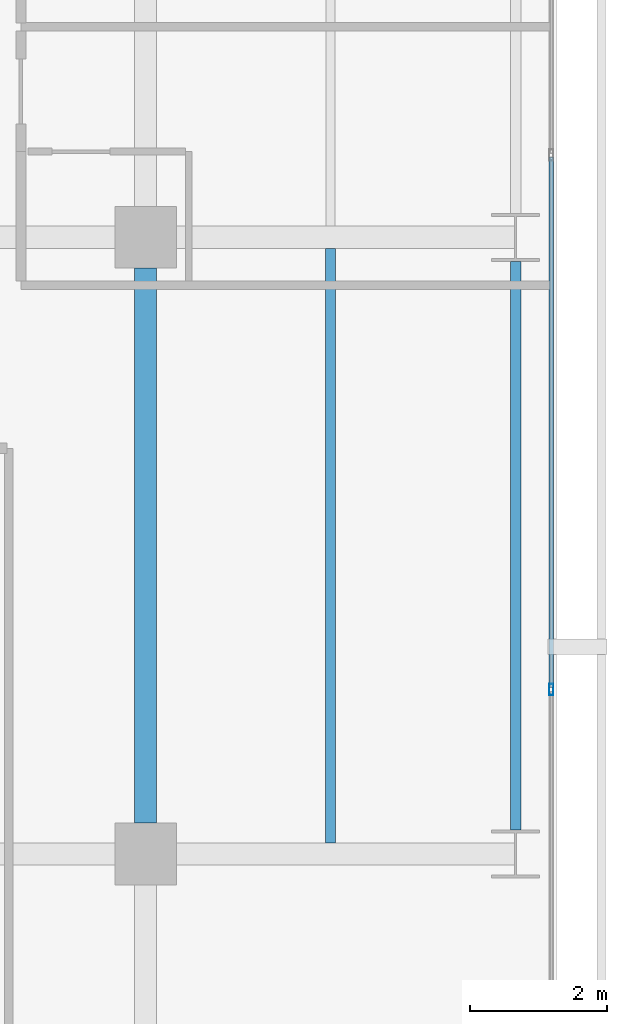
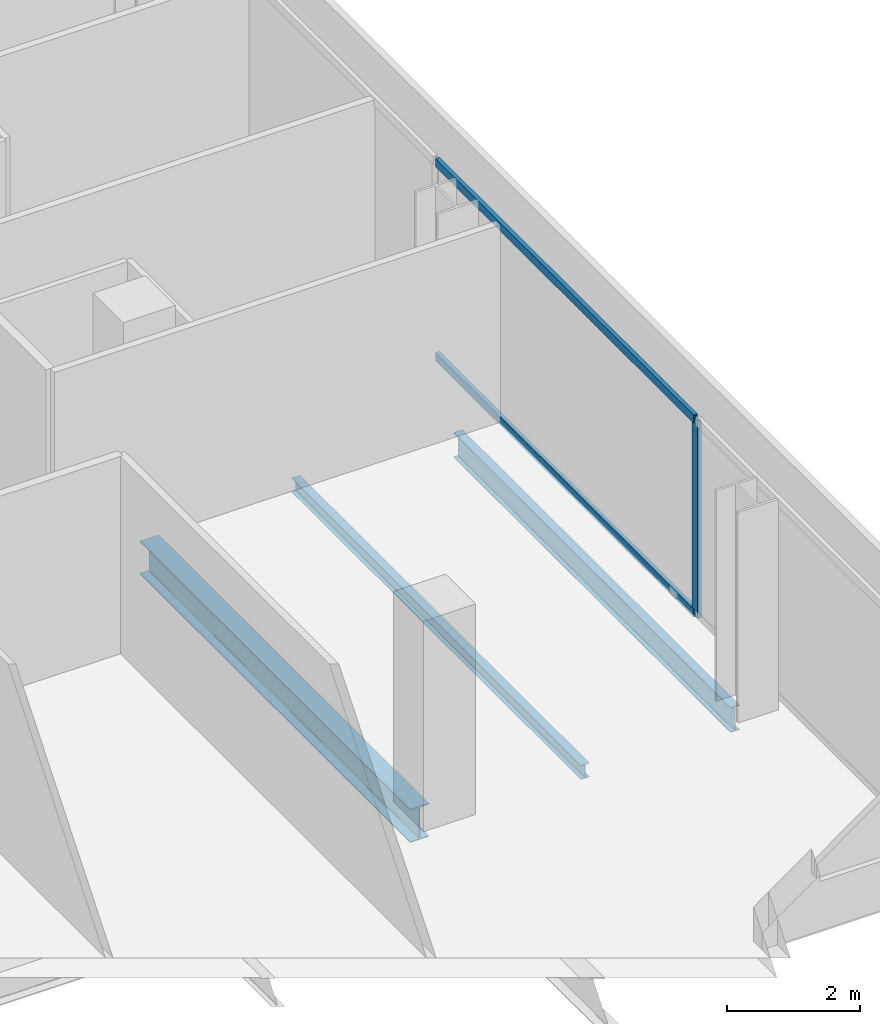
# One storey, part 17 of 40: 3 beams, 3 members, 1 element without a shape of its own.
"""IFC4 building model written with IfcOpenShell, lengths in metres."""

from ifc_helpers import new_model, si_unit, direction, frame, origin, origin_2d, place, context, subcontext, project, spatial, hollow_rectangle, i_section, extrude, material, layer, layer_set, material_profile, profile_set, type_object, element, aggregate, save


model = new_model("IFC4")

# Units and contexts
model_context = context("Model", 3, precision=1e-05, world=origin(), true_north=direction((0.0, 1.0)))
body_context = subcontext(model_context, "Body", "Model", "MODEL_VIEW")
ifc_project = project(units=[si_unit("LENGTHUNIT", "METRE"), si_unit("AREAUNIT", "SQUARE_METRE"), si_unit("VOLUMEUNIT", "CUBIC_METRE"), si_unit("PLANEANGLEUNIT", "RADIAN"), si_unit("MASSUNIT", "GRAM", prefix="KILO")], contexts=[model_context])

# Site, building, storey
site_placement = place(None, origin())
site = spatial("IfcSite", under=ifc_project, at=site_placement, CompositionType="ELEMENT")
building_placement = place(site_placement, origin())
building = spatial("IfcBuilding", under=site, at=building_placement, Name="Maruvema Waterfront Hotel and Observation Tower", CompositionType="ELEMENT")
storey_placement = place(building_placement, frame((0.0, 0.0, 107.800048828125)))
storey = spatial("IfcBuildingStorey", under=building, at=storey_placement, Name="L26", CompositionType="ELEMENT", Elevation=107.800048828125)

# Curtain wall, members
ifc_material_1 = material(Name="Anodised bronze aluminium and solar-control low-E IGU", Category="aluminium")
ifc_layer = layer(ifc_material_1, 0.159912109375, Name="Zone 1 Bronze Inner Thermal Curtain Wall System CW-02")
ifc_layer_set = layer_set([ifc_layer], Name="Anodised bronze aluminium and solar-control low-E IGU")
curtain_wall_type = type_object("IfcCurtainWallType", Name="Zone 1 Bronze Inner Thermal Curtain Wall System CW-02", PredefinedType="USERDEFINED", material=ifc_layer_set)
curtain_wall_placement = place(storey_placement, origin())
curtain_wall = element("IfcCurtainWall", 1, at=curtain_wall_placement, inside=storey, type_object=curtain_wall_type, Name="L26 Curtain Wall CW-L26-E", ObjectType="UNITISED CURTAIN WALL", PredefinedType="USERDEFINED")
ifc_material_2 = material(Name="Anodised architectural bronze aluminium", Category="aluminium")
ifc_material_profile_1 = material_profile(ifc_material_2, hollow_rectangle(XDim=0.070068359375, YDim=0.14990234375, WallThickness=0.00390625, at=origin_2d()), Name="ALU-T70x150")
ifc_profile_set_1 = profile_set([ifc_material_profile_1], Name="Anodised architectural bronze aluminium")
member_type_1 = type_object("IfcMemberType", Name="Curtain Wall Horizontal Transom ALU-T70x150", PredefinedType="USERDEFINED", material=ifc_profile_set_1)
member_1_placement = place(storey_placement, frame((64.719970703125, 11.429931640625, 0.030029296875), z_axis=(0.0, 1.0, 0.0), x_axis=(-1.0, 0.0, 0.0)))
member_1 = element("IfcMember", 2, at=member_1_placement, type_object=member_type_1, Name="CW-02 transom 2.1", ObjectType="TRANSOM", PredefinedType="USERDEFINED", context=body_context, shape_type="SweptSolid", body=[
    extrude(hollow_rectangle(XDim=0.070068359375, YDim=0.14990234375, WallThickness=0.00390625, at=origin_2d()), origin(), (0.0, 0.0, 1.0), 7.739990234375),
])
member_2_placement = place(storey_placement, frame((64.719970703125, 11.429931640625, 3.579833984375), z_axis=(0.0, 1.0, 0.0), x_axis=(-1.0, 0.0, 0.0)))
member_2 = element("IfcMember", 3, at=member_2_placement, type_object=member_type_1, Name="CW-02 transom 2.2", ObjectType="TRANSOM", PredefinedType="USERDEFINED", context=body_context, shape_type="SweptSolid", body=[
    extrude(hollow_rectangle(XDim=0.070068359375, YDim=0.14990234375, WallThickness=0.00390625, at=origin_2d()), origin(), (0.0, 0.0, 1.0), 7.739990234375),
])
ifc_material_3 = material(Name="Anodised architectural bronze aluminium", Category="aluminium")
ifc_material_profile_2 = material_profile(ifc_material_3, hollow_rectangle(XDim=0.06494140625, YDim=0.1650390625, WallThickness=0.00390625, at=origin_2d()), Name="ALU-M65x165")
ifc_profile_set_2 = profile_set([ifc_material_profile_2], Name="Anodised architectural bronze aluminium")
member_type_2 = type_object("IfcMemberType", Name="Curtain Wall Primary Mullion ALU-M65x165", PredefinedType="MULLION", material=ifc_profile_set_2)
member_3_placement = place(storey_placement, frame((64.719970703125, 11.39990234375, 0.0), z_axis=(0.0, 0.0, 1.0), x_axis=(-1.0, 0.0, 0.0)))
member_3 = element("IfcMember", 4, at=member_3_placement, type_object=member_type_2, Name="CW-02 mullion 2", PredefinedType="MULLION", context=body_context, shape_type="SweptSolid", body=[
    extrude(hollow_rectangle(XDim=0.06494140625, YDim=0.1650390625, WallThickness=0.00390625, at=origin_2d()), origin(), (0.0, 0.0, 1.0), 3.60986328125),
])
aggregate(curtain_wall, [member_3, member_1, member_2])

# Beams
ifc_material_4 = material(Name="Steel ASTM A572 Grade 50", Category="steel")
ifc_material_profile_3 = material_profile(ifc_material_4, i_section(OverallWidth=0.153076171875, OverallDepth=0.455078125, WebThickness=0.008056640625, FlangeThickness=0.01318359375, FilletRadius=0.014892578125, at=origin_2d()), Name="W460x60.0")
ifc_profile_set_3 = profile_set([ifc_material_profile_3], Name="Steel ASTM A572 Grade 50")
beam_type_1 = type_object("IfcBeamType", Name="Perimeter Spandrel Beam W460x60.0", PredefinedType="SPANDREL", material=ifc_profile_set_3)
beam_1_placement = place(storey_placement, frame((64.199951171875, 9.35009765625, -0.467529296875), z_axis=(0.0, 1.0, 0.0), x_axis=(-1.0, 0.0, 0.0)))
element("IfcBeam", 5, at=beam_1_placement, inside=storey, type_object=beam_type_1, Name="L26 Floor Girder NS-33", PredefinedType="SPANDREL", context=body_context, shape_type="SweptSolid", body=[
    extrude(i_section(OverallWidth=0.153076171875, OverallDepth=0.455078125, WebThickness=0.008056640625, FlangeThickness=0.01318359375, FilletRadius=0.014892578125, at=origin_2d()), origin(), (0.0, 0.0, 1.0), 8.2998046875),
])
ifc_material_5 = material(Name="Steel ASTM A572 Grade 50", Category="steel")
ifc_material_profile_4 = material_profile(ifc_material_5, i_section(OverallWidth=0.323974609375, OverallDepth=0.611083984375, WebThickness=0.0126953125, FlangeThickness=0.01904296875, FilletRadius=0.01806640625, at=origin_2d()), Name="W610x155.0")
ifc_profile_set_4 = profile_set([ifc_material_profile_4], Name="Steel ASTM A572 Grade 50")
beam_type_2 = type_object("IfcBeamType", Name="Primary Floor Girder W610x155.0", PredefinedType="BEAM", material=ifc_profile_set_4)
beam_2_placement = place(storey_placement, frame((58.800048828125, 9.449951171875, -0.545654296875), z_axis=(0.0, 1.0, 0.0), x_axis=(-1.0, 0.0, 0.0)))
element("IfcBeam", 6, at=beam_2_placement, inside=storey, type_object=beam_type_2, Name="L26 Floor Girder NS-28", PredefinedType="BEAM", context=body_context, shape_type="SweptSolid", body=[
    extrude(i_section(OverallWidth=0.323974609375, OverallDepth=0.611083984375, WebThickness=0.0126953125, FlangeThickness=0.01904296875, FilletRadius=0.01806640625, at=origin_2d()), origin(), (0.0, 0.0, 1.0), 8.10009765625),
])
ifc_material_6 = material(Name="Steel ASTM A572 Grade 50", Category="steel")
ifc_material_profile_5 = material_profile(ifc_material_6, i_section(OverallWidth=0.14599609375, OverallDepth=0.258056640625, WebThickness=0.006103515625, FlangeThickness=0.009033203125, FilletRadius=0.012939453125, at=origin_2d()), Name="W250x32.7")
ifc_profile_set_5 = profile_set([ifc_material_profile_5], Name="Steel ASTM A572 Grade 50")
beam_type_3 = type_object("IfcBeamType", Name="Secondary Floor Joist W250x32.7", PredefinedType="JOIST", material=ifc_profile_set_5)
beam_3_placement = place(storey_placement, frame((61.5, 9.162109375, -0.369140625), z_axis=(0.0, 1.0, 0.0), x_axis=(-1.0, 0.0, 0.0)))
element("IfcBeam", 7, at=beam_3_placement, inside=storey, type_object=beam_type_3, Name="L26 Secondary Floor Joist JS-21", PredefinedType="JOIST", context=body_context, shape_type="SweptSolid", body=[
    extrude(i_section(OverallWidth=0.14599609375, OverallDepth=0.258056640625, WebThickness=0.006103515625, FlangeThickness=0.009033203125, FilletRadius=0.012939453125, at=origin_2d()), origin(), (0.0, 0.0, 1.0), 8.67578125),
])

save(model, "model.ifc")
